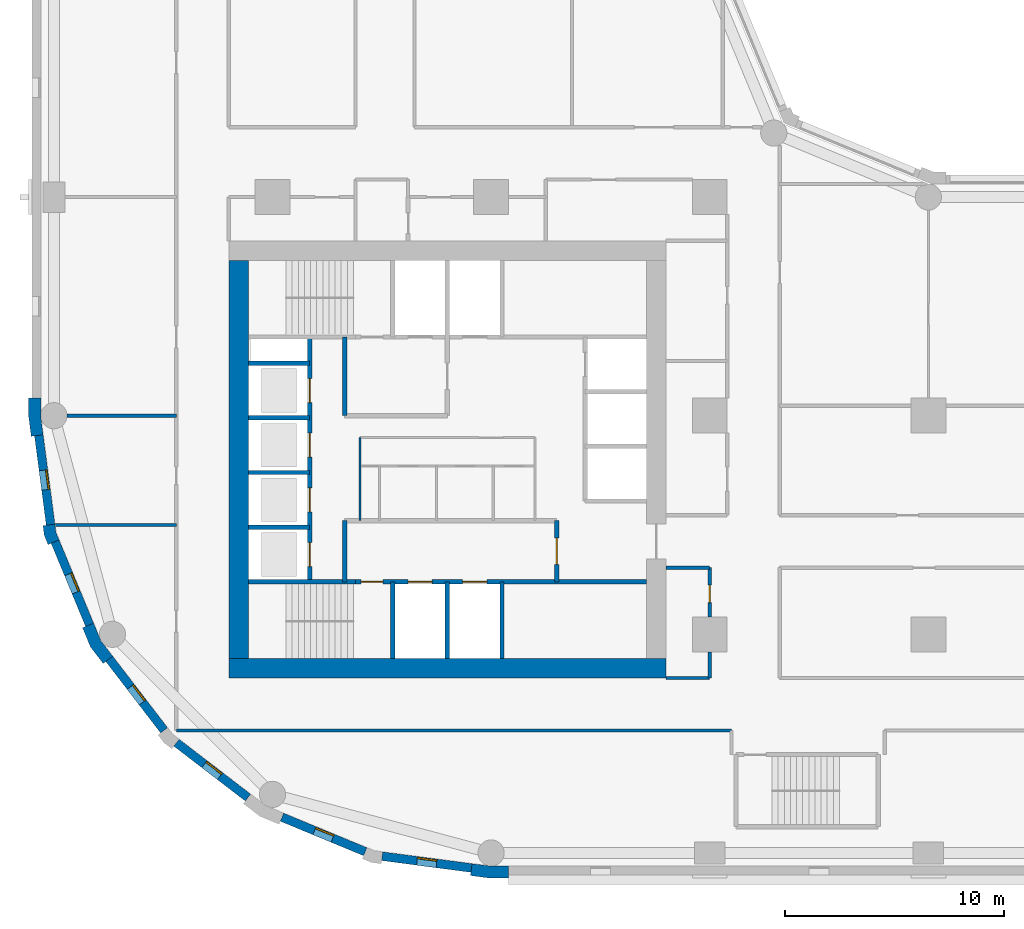
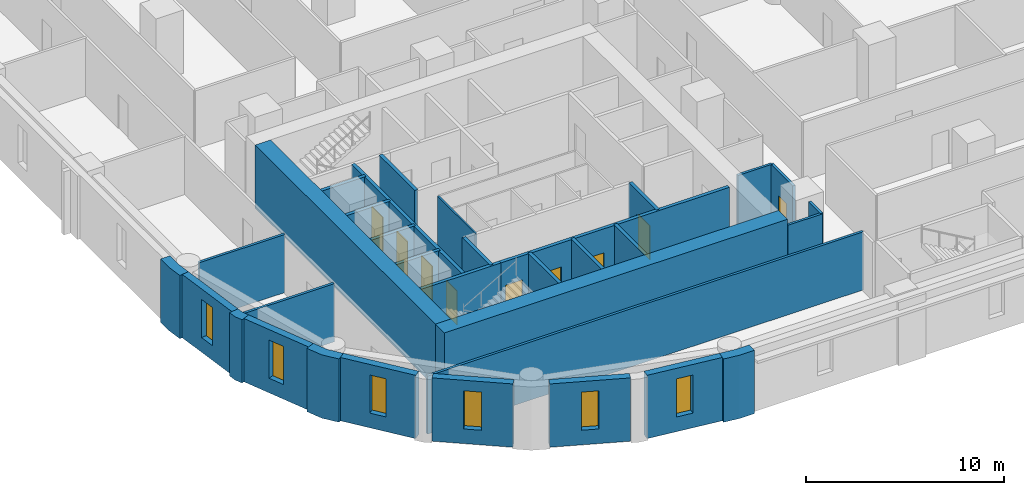
# One storey, part 2 of 10: 33 walls, 9 doors, 6 windows, 15 openings.
"""IFC4 building model written with IfcOpenShell, lengths in metres."""

from ifc_helpers import new_model, si_unit, direction, frame, frame_2d, origin, place, context, subcontext, project, spatial, polyline, rectangle, outline, extrude, material, layer, layer_set, type_object, element, fill, save


model = new_model("IFC4")

# Units and contexts
model_context = context("Model", 3, precision=1e-05, world=origin(), true_north=direction((0.0, 1.0)))
body_context = subcontext(model_context, "Body", "Model", "MODEL_VIEW")
ifc_project = project(units=[si_unit("LENGTHUNIT", "METRE"), si_unit("AREAUNIT", "SQUARE_METRE"), si_unit("VOLUMEUNIT", "CUBIC_METRE"), si_unit("PLANEANGLEUNIT", "RADIAN"), si_unit("MASSUNIT", "GRAM", prefix="KILO")], contexts=[model_context])

# Site, building, storey
site_placement = place(None, origin())
site = spatial("IfcSite", under=ifc_project, at=site_placement, CompositionType="ELEMENT")
building_placement = place(site_placement, origin())
building = spatial("IfcBuilding", under=site, at=building_placement, Name="Qaws Garden Tower", CompositionType="ELEMENT")
storey_placement = place(building_placement, frame((0.0, 0.0, 78.300048828125)))
storey = spatial("IfcBuildingStorey", under=building, at=storey_placement, Name="L19", CompositionType="ELEMENT", Elevation=78.300048828125)

# Wall, opening, window
ifc_material_1 = material(Name="Clay facing brick masonry", Category="masonry")
ifc_layer_1 = layer(ifc_material_1, 0.39990234375)
ifc_layer_set_1 = layer_set([ifc_layer_1], Name="Clay facing brick masonry")
wall_type_1 = type_object("IfcWallType", Name="Brick infill wall 400", PredefinedType="SOLIDWALL", material=ifc_layer_set_1)
wall_1_placement = place(storey_placement, frame((-0.688720703125, 19.102294921875, 0.0), z_axis=(0.0, 0.0, 1.0), x_axis=(0.130514280502, -0.991446429508, 0.0)))
wall_1 = element("IfcWall", 1, at=wall_1_placement, inside=storey, type_object=wall_type_1, Name="E-L19-infill-27", PredefinedType="SOLIDWALL", context=body_context, shape_type="SweptSolid", body=[
    extrude(rectangle(XDim=4.120849609375, YDim=0.39990234375, at=frame_2d((2.060546875, 0.0))), origin(), (0.0, 0.0, 1.0), 3.89990234375),
])
opening_1_placement = place(wall_1_placement, frame((1.610595703125, 0.0, 0.89990234375)))
opening_1 = element("IfcOpeningElement", 2, at=opening_1_placement, cuts=wall_1, Name="Opening W09", PredefinedType="OPENING", context=body_context, shape_type="SweptSolid", body=[
    extrude(rectangle(XDim=0.89990234375, YDim=2.35009765625, at=frame_2d((0.449951171875, 1.175048828125))), frame((0.0, 0.2099609375, 0.0), z_axis=(0.0, -1.0, 0.0), x_axis=(1.0, 0.0, 0.0)), (0.0, 0.0, 1.0), 0.419921875),
])
ifc_material_2 = material(Name="Aluminium framed window, clear glazing", Category="aluminium")
window_type = type_object("IfcWindowType", Name="Slit window 900 x 2350", PartitioningType="SINGLE_PANEL", PredefinedType="WINDOW", material=ifc_material_2)
window_1_placement = place(opening_1_placement, origin())
window_1 = element("IfcWindow", 3, at=window_1_placement, inside=storey, type_object=window_type, Name="E-L19-window-27-0", OverallHeight=2.35009765625, OverallWidth=0.89990234375, PartitioningType="SINGLE_PANEL", PredefinedType="WINDOW", context=body_context, shape_type="SweptSolid", body=[
    extrude(rectangle(XDim=0.89990234375, YDim=2.35009765625, at=frame_2d((0.449951171875, 1.175048828125))), frame((0.0, 0.159912109375, 0.0), z_axis=(0.0, -1.0, 0.0), x_axis=(1.0, 0.0, 0.0)), (0.0, 0.0, 1.0), 0.06005859375),
])
fill(opening_1, window_1)

wall_2_placement = place(storey_placement, frame((0.05712890625, 14.240234375, 0.0), z_axis=(0.0, 0.0, 1.0), x_axis=(0.382721546029, -0.923863744394, 0.0)))
wall_2 = element("IfcWall", 4, at=wall_2_placement, inside=storey, type_object=wall_type_1, Name="E-L19-infill-28", PredefinedType="SOLIDWALL", context=body_context, shape_type="SweptSolid", body=[
    extrude(rectangle(XDim=4.120849609375, YDim=0.39990234375, at=frame_2d((2.060546875, 0.0))), origin(), (0.0, 0.0, 1.0), 3.89990234375),
])
opening_2_placement = place(wall_2_placement, frame((1.610595703125, 0.0, 0.89990234375)))
opening_2 = element("IfcOpeningElement", 5, at=opening_2_placement, cuts=wall_2, Name="Opening W09", PredefinedType="OPENING", context=body_context, shape_type="SweptSolid", body=[
    extrude(rectangle(XDim=0.89990234375, YDim=2.35009765625, at=frame_2d((0.449951171875, 1.175048828125))), frame((0.0, 0.2099609375, 0.0), z_axis=(0.0, -1.0, 0.0), x_axis=(1.0, 0.0, 0.0)), (0.0, 0.0, 1.0), 0.419921875),
])
window_2_placement = place(opening_2_placement, origin())
window_2 = element("IfcWindow", 6, at=window_2_placement, inside=storey, type_object=window_type, Name="E-L19-window-28-0", OverallHeight=2.35009765625, OverallWidth=0.89990234375, PartitioningType="SINGLE_PANEL", PredefinedType="WINDOW", context=body_context, shape_type="SweptSolid", body=[
    extrude(rectangle(XDim=0.89990234375, YDim=2.35009765625, at=frame_2d((0.449951171875, 1.175048828125))), frame((0.0, 0.159912109375, 0.0), z_axis=(0.0, -1.0, 0.0), x_axis=(1.0, 0.0, 0.0)), (0.0, 0.0, 1.0), 0.06005859375),
])
fill(opening_2, window_2)

wall_3_placement = place(storey_placement, frame((2.53173828125, 8.87841796875, 0.0), z_axis=(0.0, 0.0, 1.0), x_axis=(0.608759824817, -0.793354571229, 0.0)))
wall_3 = element("IfcWall", 7, at=wall_3_placement, inside=storey, type_object=wall_type_1, Name="E-L19-infill-29", PredefinedType="SOLIDWALL", context=body_context, shape_type="SweptSolid", body=[
    extrude(rectangle(XDim=4.12109375, YDim=0.39990234375, at=frame_2d((2.060546875, 0.0))), origin(), (0.0, 0.0, 1.0), 3.89990234375),
])
opening_3_placement = place(wall_3_placement, frame((1.610595703125, 0.0, 0.89990234375)))
opening_3 = element("IfcOpeningElement", 8, at=opening_3_placement, cuts=wall_3, Name="Opening W09", PredefinedType="OPENING", context=body_context, shape_type="SweptSolid", body=[
    extrude(rectangle(XDim=0.89990234375, YDim=2.35009765625, at=frame_2d((0.449951171875, 1.175048828125))), frame((0.0, 0.2099609375, 0.0), z_axis=(0.0, -1.0, 0.0), x_axis=(1.0, 0.0, 0.0)), (0.0, 0.0, 1.0), 0.419921875),
])
window_3_placement = place(opening_3_placement, origin())
window_3 = element("IfcWindow", 9, at=window_3_placement, inside=storey, type_object=window_type, Name="E-L19-window-29-0", OverallHeight=2.35009765625, OverallWidth=0.89990234375, PartitioningType="SINGLE_PANEL", PredefinedType="WINDOW", context=body_context, shape_type="SweptSolid", body=[
    extrude(rectangle(XDim=0.89990234375, YDim=2.35009765625, at=frame_2d((0.449951171875, 1.175048828125))), frame((0.0, 0.159912109375, 0.0), z_axis=(0.0, -1.0, 0.0), x_axis=(1.0, 0.0, 0.0)), (0.0, 0.0, 1.0), 0.06005859375),
])
fill(opening_3, window_3)

wall_4_placement = place(storey_placement, frame((5.60888671875, 5.04052734375, 0.0), z_axis=(0.0, 0.0, 1.0), x_axis=(0.793354571229, -0.608759824817, 0.0)))
wall_4 = element("IfcWall", 10, at=wall_4_placement, inside=storey, type_object=wall_type_1, Name="E-L19-infill-30", PredefinedType="SOLIDWALL", context=body_context, shape_type="SweptSolid", body=[
    extrude(rectangle(XDim=4.12109375, YDim=0.39990234375, at=frame_2d((2.060546875, 0.0))), origin(), (0.0, 0.0, 1.0), 3.89990234375),
])
opening_4_placement = place(wall_4_placement, frame((1.610595703125, 0.0, 0.89990234375)))
opening_4 = element("IfcOpeningElement", 11, at=opening_4_placement, cuts=wall_4, Name="Opening W09", PredefinedType="OPENING", context=body_context, shape_type="SweptSolid", body=[
    extrude(rectangle(XDim=0.89990234375, YDim=2.35009765625, at=frame_2d((0.449951171875, 1.175048828125))), frame((0.0, 0.2099609375, 0.0), z_axis=(0.0, -1.0, 0.0), x_axis=(1.0, 0.0, 0.0)), (0.0, 0.0, 1.0), 0.419921875),
])
window_4_placement = place(opening_4_placement, origin())
window_4 = element("IfcWindow", 12, at=window_4_placement, inside=storey, type_object=window_type, Name="E-L19-window-30-0", OverallHeight=2.35009765625, OverallWidth=0.89990234375, PartitioningType="SINGLE_PANEL", PredefinedType="WINDOW", context=body_context, shape_type="SweptSolid", body=[
    extrude(rectangle(XDim=0.89990234375, YDim=2.35009765625, at=frame_2d((0.449951171875, 1.175048828125))), frame((0.0, 0.159912109375, 0.0), z_axis=(0.0, -1.0, 0.0), x_axis=(1.0, 0.0, 0.0)), (0.0, 0.0, 1.0), 0.06005859375),
])
fill(opening_4, window_4)

wall_5_placement = place(storey_placement, frame((10.43310546875, 1.63427734375, 0.0), z_axis=(0.0, 0.0, 1.0), x_axis=(0.923863744394, -0.382721546029, 0.0)))
wall_5 = element("IfcWall", 13, at=wall_5_placement, inside=storey, type_object=wall_type_1, Name="E-L19-infill-31", PredefinedType="SOLIDWALL", context=body_context, shape_type="SweptSolid", body=[
    extrude(rectangle(XDim=4.120849609375, YDim=0.39990234375, at=frame_2d((2.060546875, 0.0))), origin(), (0.0, 0.0, 1.0), 3.89990234375),
])
opening_5_placement = place(wall_5_placement, frame((1.610595703125, 0.0, 0.89990234375)))
opening_5 = element("IfcOpeningElement", 14, at=opening_5_placement, cuts=wall_5, Name="Opening W09", PredefinedType="OPENING", context=body_context, shape_type="SweptSolid", body=[
    extrude(rectangle(XDim=0.89990234375, YDim=2.35009765625, at=frame_2d((0.449951171875, 1.175048828125))), frame((0.0, 0.2099609375, 0.0), z_axis=(0.0, -1.0, 0.0), x_axis=(1.0, 0.0, 0.0)), (0.0, 0.0, 1.0), 0.419921875),
])
window_5_placement = place(opening_5_placement, origin())
window_5 = element("IfcWindow", 15, at=window_5_placement, inside=storey, type_object=window_type, Name="E-L19-window-31-0", OverallHeight=2.35009765625, OverallWidth=0.89990234375, PartitioningType="SINGLE_PANEL", PredefinedType="WINDOW", context=body_context, shape_type="SweptSolid", body=[
    extrude(rectangle(XDim=0.89990234375, YDim=2.35009765625, at=frame_2d((0.449951171875, 1.175048828125))), frame((0.0, 0.159912109375, 0.0), z_axis=(0.0, -1.0, 0.0), x_axis=(1.0, 0.0, 0.0)), (0.0, 0.0, 1.0), 0.06005859375),
])
fill(opening_5, window_5)

wall_6_placement = place(storey_placement, frame((15.0166015625, -0.15087890625, 0.0), z_axis=(0.0, 0.0, 1.0), x_axis=(0.991446429508, -0.130514280502, 0.0)))
wall_6 = element("IfcWall", 16, at=wall_6_placement, inside=storey, type_object=wall_type_1, Name="E-L19-infill-32", PredefinedType="SOLIDWALL", context=body_context, shape_type="SweptSolid", body=[
    extrude(rectangle(XDim=4.120849609375, YDim=0.39990234375, at=frame_2d((2.060546875, 0.0))), origin(), (0.0, 0.0, 1.0), 3.89990234375),
])
opening_6_placement = place(wall_6_placement, frame((1.610595703125, 0.0, 0.89990234375)))
opening_6 = element("IfcOpeningElement", 17, at=opening_6_placement, cuts=wall_6, Name="Opening W09", PredefinedType="OPENING", context=body_context, shape_type="SweptSolid", body=[
    extrude(rectangle(XDim=0.89990234375, YDim=2.35009765625, at=frame_2d((0.449951171875, 1.175048828125))), frame((0.0, 0.2099609375, 0.0), z_axis=(0.0, -1.0, 0.0), x_axis=(1.0, 0.0, 0.0)), (0.0, 0.0, 1.0), 0.419921875),
])
window_6_placement = place(opening_6_placement, origin())
window_6 = element("IfcWindow", 18, at=window_6_placement, inside=storey, type_object=window_type, Name="E-L19-window-32-0", OverallHeight=2.35009765625, OverallWidth=0.89990234375, PartitioningType="SINGLE_PANEL", PredefinedType="WINDOW", context=body_context, shape_type="SweptSolid", body=[
    extrude(rectangle(XDim=0.89990234375, YDim=2.35009765625, at=frame_2d((0.449951171875, 1.175048828125))), frame((0.0, 0.159912109375, 0.0), z_axis=(0.0, -1.0, 0.0), x_axis=(1.0, 0.0, 0.0)), (0.0, 0.0, 1.0), 0.06005859375),
])
fill(opening_6, window_6)

# Walls
ifc_material_3 = material(Name="Clay facing brick masonry", Category="masonry")
ifc_layer_2 = layer(ifc_material_3, 0.550048828125)
ifc_layer_set_2 = layer_set([ifc_layer_2], Name="Clay facing brick masonry")
wall_type_2 = type_object("IfcWallType", Name="Brick kink pier 550 x 600", PredefinedType="SOLIDWALL", material=ifc_layer_set_2)
placement = place(storey_placement, origin())
element("IfcWall", 19, at=placement, inside=storey, type_object=wall_type_2, Name="E-L19-pier-28", PredefinedType="SOLIDWALL", context=body_context, shape_type="SweptSolid", body=[
    extrude(outline(polyline([(-0.34912109375, 14.990478515625), (-0.497802734375, 14.970947265625), (-0.43896484375, 14.5234375), (-0.26611328125, 14.1064453125), (-0.127685546875, 14.163818359375), (0.241943359375, 14.31689453125), (0.096923828125, 14.6669921875), (0.04736328125, 15.042724609375), (-0.34912109375, 14.990478515625)])), origin(), (0.0, 0.0, 1.0), 3.89990234375),
])
ifc_material_4 = material(Name="Clay facing brick masonry", Category="masonry")
ifc_layer_3 = layer(ifc_material_4, 0.550048828125)
ifc_layer_set_3 = layer_set([ifc_layer_3], Name="Clay facing brick masonry")
wall_type_3 = type_object("IfcWallType", Name="Brick pier 550 x 1600", PredefinedType="SOLIDWALL", material=ifc_layer_set_3)
element("IfcWall", 20, at=placement, inside=storey, type_object=wall_type_3, Name="E-L19-pier-00", PredefinedType="SOLIDWALL", context=body_context, shape_type="SweptSolid", body=[
    extrude(outline(polyline([(19.076416015625, -0.886962890625), (19.056640625, -1.03564453125), (19.924560546875, -1.14990234375), (20.800048828125, -1.14990234375), (20.800048828125, -1.0), (20.800048828125, -0.60009765625), (19.960693359375, -0.60009765625), (19.12841796875, -0.490478515625), (19.076416015625, -0.886962890625)])), origin(), (0.0, 0.0, 1.0), 3.89990234375),
])
element("IfcWall", 21, at=placement, inside=storey, type_object=wall_type_3, Name="E-L19-pier-27", PredefinedType="SOLIDWALL", context=body_context, shape_type="SweptSolid", body=[
    extrude(outline(polyline([(-1.0, 20.800048828125), (-1.14990234375, 20.800048828125), (-1.14990234375, 19.924560546875), (-1.03564453125, 19.056640625), (-0.886962890625, 19.076416015625), (-0.490478515625, 19.12841796875), (-0.60009765625, 19.960693359375), (-0.60009765625, 20.800048828125), (-1.0, 20.800048828125)])), origin(), (0.0, 0.0, 1.0), 3.89990234375),
])
element("IfcWall", 22, at=placement, inside=storey, type_object=wall_type_3, Name="E-L19-pier-29", PredefinedType="SOLIDWALL", context=body_context, shape_type="SweptSolid", body=[
    extrude(outline(polyline([(1.449462890625, 10.3564453125), (1.310791015625, 10.299072265625), (1.675048828125, 9.419921875), (2.254150390625, 8.665283203125), (2.373046875, 8.756591796875), (2.6904296875, 9.0), (2.1552734375, 9.697509765625), (1.819091796875, 10.509521484375), (1.449462890625, 10.3564453125)])), origin(), (0.0, 0.0, 1.0), 3.89990234375),
])
ifc_material_5 = material(Name="Plasterboard")
ifc_layer_4 = layer(ifc_material_5, 0.10009765625)
ifc_layer_set_4 = layer_set([ifc_layer_4], Name="Plasterboard")
wall_type_4 = type_object("IfcWallType", Name="Core partition 100", PredefinedType="PARTITIONING", material=ifc_layer_set_4)
wall_11_placement = place(storey_placement, frame((14.0, 15.199951171875, 0.0), z_axis=(0.0, 0.0, 1.0), x_axis=(0.0, 1.0, 0.0)))
element("IfcWall", 23, at=wall_11_placement, inside=storey, type_object=wall_type_4, Name="Core partition", PredefinedType="PARTITIONING", context=body_context, shape_type="SweptSolid", body=[
    extrude(rectangle(XDim=3.800048828125, YDim=0.10009765625, at=frame_2d((1.89990234375, 0.0))), origin(), (0.0, 0.0, 1.0), 3.579833984375),
])
ifc_material_6 = material(Name="Concrete C80", Category="concrete")
ifc_layer_5 = layer(ifc_material_6, 0.199951171875)
ifc_layer_set_5 = layer_set([ifc_layer_5], Name="Concrete C80")
wall_type_5 = type_object("IfcWallType", Name="Core shaft wall 200 C80", PredefinedType="SHEAR", material=ifc_layer_set_5)
wall_12_placement = place(storey_placement, frame((8.89990234375, 12.39990234375, 0.0), z_axis=(0.0, 0.0, 1.0), x_axis=(1.0, 0.0, 0.0)))
element("IfcWall", 24, at=wall_12_placement, inside=storey, type_object=wall_type_5, Name="Shaft wall", PredefinedType="SHEAR", context=body_context, shape_type="SweptSolid", body=[
    extrude(rectangle(XDim=4.900146484375, YDim=0.199951171875, at=frame_2d((2.4501953125, 0.0))), origin(), (0.0, 0.0, 1.0), 3.579833984375),
])

# Wall, openings, doors
wall_13_placement = place(storey_placement, frame((13.800048828125, 12.39990234375, 0.0), z_axis=(0.0, 0.0, 1.0), x_axis=(1.0, 0.0, 0.0)))
wall_13 = element("IfcWall", 25, at=wall_13_placement, inside=storey, type_object=wall_type_5, Name="Shaft wall", PredefinedType="SHEAR", context=body_context, shape_type="SweptSolid", body=[
    extrude(rectangle(XDim=13.300048828125, YDim=0.199951171875, at=frame_2d((6.64990234375, 0.0))), origin(), (0.0, 0.0, 1.0), 3.579833984375),
])
opening_7_placement = place(wall_13_placement, frame((2.39990234375, 0.0, 0.0)))
opening_7 = element("IfcOpeningElement", 26, at=opening_7_placement, cuts=wall_13, Name="Opening LD06", PredefinedType="OPENING", context=body_context, shape_type="SweptSolid", body=[
    extrude(rectangle(XDim=1.10009765625, YDim=2.10009765625, at=frame_2d((0.550048828125, 1.050048828125))), frame((0.0, 0.10986328125, 0.0), z_axis=(0.0, -1.0, 0.0), x_axis=(1.0, 0.0, 0.0)), (0.0, 0.0, 1.0), 0.219970703125),
])
opening_8_placement = place(wall_13_placement, frame((4.89990234375, 0.0, 0.0)))
opening_8 = element("IfcOpeningElement", 27, at=opening_8_placement, cuts=wall_13, Name="Opening LD07", PredefinedType="OPENING", context=body_context, shape_type="SweptSolid", body=[
    extrude(rectangle(XDim=1.10009765625, YDim=2.10009765625, at=frame_2d((0.550048828125, 1.050048828125))), frame((0.0, 0.10986328125, 0.0), z_axis=(0.0, -1.0, 0.0), x_axis=(1.0, 0.0, 0.0)), (0.0, 0.0, 1.0), 0.219970703125),
])
opening_9_placement = place(wall_13_placement, frame((0.25, 0.0, 0.0)))
opening_9 = element("IfcOpeningElement", 28, at=opening_9_placement, cuts=wall_13, Name="Opening SD10", PredefinedType="OPENING", context=body_context, shape_type="SweptSolid", body=[
    extrude(rectangle(XDim=1.0, YDim=2.10009765625, at=frame_2d((0.5, 1.050048828125))), frame((0.0, 0.10986328125, 0.0), z_axis=(0.0, -1.0, 0.0), x_axis=(1.0, 0.0, 0.0)), (0.0, 0.0, 1.0), 0.219970703125),
])
ifc_material_7 = material(Name="Steel S235", Category="steel")
door_type_1 = type_object("IfcDoorType", Name="Landing door 1100x2100", OperationType="DOUBLE_DOOR_SLIDING", PredefinedType="DOOR", material=ifc_material_7)
door_1_placement = place(opening_7_placement, origin())
door_1 = element("IfcDoor", 29, at=door_1_placement, inside=storey, type_object=door_type_1, Name="Lift FF1 landing door", OperationType="DOUBLE_DOOR_SLIDING", OverallHeight=2.10009765625, OverallWidth=1.10009765625, PredefinedType="DOOR", context=body_context, shape_type="SweptSolid", body=[
    extrude(rectangle(XDim=1.10009765625, YDim=2.10009765625, at=frame_2d((0.550048828125, 1.050048828125))), frame((0.0, 0.02490234375, 0.0), z_axis=(0.0, -1.0, 0.0), x_axis=(1.0, 0.0, 0.0)), (0.0, 0.0, 1.0), 0.050048828125),
])
fill(opening_7, door_1)
door_2_placement = place(opening_8_placement, origin())
door_2 = element("IfcDoor", 30, at=door_2_placement, inside=storey, type_object=door_type_1, Name="Lift FF2 landing door", OperationType="DOUBLE_DOOR_SLIDING", OverallHeight=2.10009765625, OverallWidth=1.10009765625, PredefinedType="DOOR", context=body_context, shape_type="SweptSolid", body=[
    extrude(rectangle(XDim=1.10009765625, YDim=2.10009765625, at=frame_2d((0.550048828125, 1.050048828125))), frame((0.0, 0.02490234375, 0.0), z_axis=(0.0, -1.0, 0.0), x_axis=(1.0, 0.0, 0.0)), (0.0, 0.0, 1.0), 0.050048828125),
])
fill(opening_8, door_2)
ifc_material_8 = material(Name="Steel S235", Category="steel")
door_type_2 = type_object("IfcDoorType", Name="Stair door 1000x2100", OperationType="SINGLE_SWING_RIGHT", PredefinedType="DOOR", material=ifc_material_8)
door_3_placement = place(opening_9_placement, frame((1.0, 0.0, 0.0), z_axis=(0.0, 0.0, 1.0), x_axis=(-1.0, 0.0, 0.0)))
door_3 = element("IfcDoor", 31, at=door_3_placement, inside=storey, type_object=door_type_2, Name="Stair 1 door", OperationType="SINGLE_SWING_LEFT", OverallHeight=2.10009765625, OverallWidth=1.0, PredefinedType="DOOR", context=body_context, shape_type="SweptSolid", body=[
    extrude(rectangle(XDim=1.0, YDim=2.10009765625, at=frame_2d((0.5, 1.050048828125))), frame((0.0, 0.02490234375, 0.0), z_axis=(0.0, -1.0, 0.0), x_axis=(1.0, 0.0, 0.0)), (0.0, 0.0, 1.0), 0.050048828125),
])
fill(opening_9, door_3)

# Walls
for number, where, z_axis, x_axis, name in (
    (32, (8.89990234375, 14.89990234375, 0.0), (0.0, 0.0, 1.0), (1.0, 0.0, 0.0), "Shaft wall"),
    (33, (8.89990234375, 17.39990234375, 0.0), (0.0, 0.0, 1.0), (1.0, 0.0, 0.0), "Shaft wall"),
    (34, (8.89990234375, 19.89990234375, 0.0), (0.0, 0.0, 1.0), (1.0, 0.0, 0.0), "Shaft wall"),
    (35, (8.89990234375, 22.39990234375, 0.0), (0.0, 0.0, 1.0), (1.0, 0.0, 0.0), "Shaft wall"),
):
    element("IfcWall", number, at=place(storey_placement, frame(where, z_axis=z_axis, x_axis=x_axis)), inside=storey, type_object=wall_type_5, Name=name, PredefinedType="SHEAR", context=body_context, shape_type="SweptSolid", body=[
        extrude(rectangle(XDim=2.800048828125, YDim=0.199951171875, at=frame_2d((1.39990234375, 0.0))), origin(), (0.0, 0.0, 1.0), 3.579833984375),
    ])

# Wall, openings, doors
wall_14_placement = place(storey_placement, frame((11.699951171875, 12.39990234375, 0.0), z_axis=(0.0, 0.0, 1.0), x_axis=(0.0, 1.0, 0.0)))
wall_14 = element("IfcWall", 36, at=wall_14_placement, inside=storey, type_object=wall_type_5, Name="Shaft wall", PredefinedType="SHEAR", context=body_context, shape_type="SweptSolid", body=[
    extrude(rectangle(XDim=11.2001953125, YDim=0.199951171875, at=frame_2d((5.60009765625, 0.0))), origin(), (0.0, 0.0, 1.0), 3.579833984375),
])
opening_10_placement = place(wall_14_placement, frame((0.699951171875, 0.0, 0.0)))
opening_10 = element("IfcOpeningElement", 37, at=opening_10_placement, cuts=wall_14, Name="Opening LD01", PredefinedType="OPENING", context=body_context, shape_type="SweptSolid", body=[
    extrude(rectangle(XDim=1.10009765625, YDim=2.10009765625, at=frame_2d((0.550048828125, 1.050048828125))), frame((0.0, 0.10986328125, 0.0), z_axis=(0.0, -1.0, 0.0), x_axis=(1.0, 0.0, 0.0)), (0.0, 0.0, 1.0), 0.219970703125),
])
opening_11_placement = place(wall_14_placement, frame((3.199951171875, 0.0, 0.0)))
opening_11 = element("IfcOpeningElement", 38, at=opening_11_placement, cuts=wall_14, Name="Opening LD02", PredefinedType="OPENING", context=body_context, shape_type="SweptSolid", body=[
    extrude(rectangle(XDim=1.10009765625, YDim=2.10009765625, at=frame_2d((0.550048828125, 1.050048828125))), frame((0.0, 0.10986328125, 0.0), z_axis=(0.0, -1.0, 0.0), x_axis=(1.0, 0.0, 0.0)), (0.0, 0.0, 1.0), 0.219970703125),
])
opening_12_placement = place(wall_14_placement, frame((5.699951171875, 0.0, 0.0)))
opening_12 = element("IfcOpeningElement", 39, at=opening_12_placement, cuts=wall_14, Name="Opening LD03", PredefinedType="OPENING", context=body_context, shape_type="SweptSolid", body=[
    extrude(rectangle(XDim=1.10009765625, YDim=2.10009765625, at=frame_2d((0.550048828125, 1.050048828125))), frame((0.0, 0.10986328125, 0.0), z_axis=(0.0, -1.0, 0.0), x_axis=(1.0, 0.0, 0.0)), (0.0, 0.0, 1.0), 0.219970703125),
])
opening_13_placement = place(wall_14_placement, frame((8.199951171875, 0.0, 0.0)))
opening_13 = element("IfcOpeningElement", 40, at=opening_13_placement, cuts=wall_14, Name="Opening LD04", PredefinedType="OPENING", context=body_context, shape_type="SweptSolid", body=[
    extrude(rectangle(XDim=1.10009765625, YDim=2.10009765625, at=frame_2d((0.550048828125, 1.050048828125))), frame((0.0, 0.10986328125, 0.0), z_axis=(0.0, -1.0, 0.0), x_axis=(1.0, 0.0, 0.0)), (0.0, 0.0, 1.0), 0.219970703125),
])
door_4_placement = place(opening_10_placement, origin())
door_4 = element("IfcDoor", 41, at=door_4_placement, inside=storey, type_object=door_type_1, Name="Lift W1 landing door", OperationType="DOUBLE_DOOR_SLIDING", OverallHeight=2.10009765625, OverallWidth=1.10009765625, PredefinedType="DOOR", context=body_context, shape_type="SweptSolid", body=[
    extrude(rectangle(XDim=1.10009765625, YDim=2.10009765625, at=frame_2d((0.550048828125, 1.050048828125))), frame((0.0, 0.02490234375, 0.0), z_axis=(0.0, -1.0, 0.0), x_axis=(1.0, 0.0, 0.0)), (0.0, 0.0, 1.0), 0.050048828125),
])
fill(opening_10, door_4)
door_5_placement = place(opening_11_placement, origin())
door_5 = element("IfcDoor", 42, at=door_5_placement, inside=storey, type_object=door_type_1, Name="Lift W2 landing door", OperationType="DOUBLE_DOOR_SLIDING", OverallHeight=2.10009765625, OverallWidth=1.10009765625, PredefinedType="DOOR", context=body_context, shape_type="SweptSolid", body=[
    extrude(rectangle(XDim=1.10009765625, YDim=2.10009765625, at=frame_2d((0.550048828125, 1.050048828125))), frame((0.0, 0.02490234375, 0.0), z_axis=(0.0, -1.0, 0.0), x_axis=(1.0, 0.0, 0.0)), (0.0, 0.0, 1.0), 0.050048828125),
])
fill(opening_11, door_5)
door_6_placement = place(opening_12_placement, origin())
door_6 = element("IfcDoor", 43, at=door_6_placement, inside=storey, type_object=door_type_1, Name="Lift W3 landing door", OperationType="DOUBLE_DOOR_SLIDING", OverallHeight=2.10009765625, OverallWidth=1.10009765625, PredefinedType="DOOR", context=body_context, shape_type="SweptSolid", body=[
    extrude(rectangle(XDim=1.10009765625, YDim=2.10009765625, at=frame_2d((0.550048828125, 1.050048828125))), frame((0.0, 0.02490234375, 0.0), z_axis=(0.0, -1.0, 0.0), x_axis=(1.0, 0.0, 0.0)), (0.0, 0.0, 1.0), 0.050048828125),
])
fill(opening_12, door_6)
door_7_placement = place(opening_13_placement, origin())
door_7 = element("IfcDoor", 44, at=door_7_placement, inside=storey, type_object=door_type_1, Name="Lift W4 landing door", OperationType="DOUBLE_DOOR_SLIDING", OverallHeight=2.10009765625, OverallWidth=1.10009765625, PredefinedType="DOOR", context=body_context, shape_type="SweptSolid", body=[
    extrude(rectangle(XDim=1.10009765625, YDim=2.10009765625, at=frame_2d((0.550048828125, 1.050048828125))), frame((0.0, 0.02490234375, 0.0), z_axis=(0.0, -1.0, 0.0), x_axis=(1.0, 0.0, 0.0)), (0.0, 0.0, 1.0), 0.050048828125),
])
fill(opening_13, door_7)

# Walls
wall_15_placement = place(storey_placement, frame((13.300048828125, 12.39990234375, 0.0), z_axis=(0.0, 0.0, 1.0), x_axis=(0.0, 1.0, 0.0)))
element("IfcWall", 45, at=wall_15_placement, inside=storey, type_object=wall_type_5, Name="Shaft wall", PredefinedType="SHEAR", context=body_context, shape_type="SweptSolid", body=[
    extrude(rectangle(XDim=2.800048828125, YDim=0.199951171875, at=frame_2d((1.39990234375, 0.0))), origin(), (0.0, 0.0, 1.0), 3.579833984375),
])
wall_16_placement = place(storey_placement, frame((13.300048828125, 20.0, 0.0), z_axis=(0.0, 0.0, 1.0), x_axis=(0.0, 1.0, 0.0)))
element("IfcWall", 46, at=wall_16_placement, inside=storey, type_object=wall_type_5, Name="Shaft wall", PredefinedType="SHEAR", context=body_context, shape_type="SweptSolid", body=[
    extrude(rectangle(XDim=3.60009765625, YDim=0.199951171875, at=frame_2d((1.800048828125, 0.0))), origin(), (0.0, 0.0, 1.0), 3.579833984375),
])
for number, where, z_axis, x_axis, name in (
    (47, (15.5, 8.89990234375, 0.0), (0.0, 0.0, 1.0), (0.0, 1.0, 0.0), "Shaft wall"),
    (48, (18.0, 8.89990234375, 0.0), (0.0, 0.0, 1.0), (0.0, 1.0, 0.0), "Shaft wall"),
    (49, (20.5, 8.89990234375, 0.0), (0.0, 0.0, 1.0), (0.0, 1.0, 0.0), "Shaft wall"),
):
    element("IfcWall", number, at=place(storey_placement, frame(where, z_axis=z_axis, x_axis=x_axis)), inside=storey, type_object=wall_type_5, Name=name, PredefinedType="SHEAR", context=body_context, shape_type="SweptSolid", body=[
        extrude(rectangle(XDim=3.5, YDim=0.199951171875, at=frame_2d((1.75, 0.0))), origin(), (0.0, 0.0, 1.0), 3.579833984375),
    ])

# Wall, opening, door
wall_17_placement = place(storey_placement, frame((23.0, 12.39990234375, 0.0), z_axis=(0.0, 0.0, 1.0), x_axis=(0.0, 1.0, 0.0)))
wall_17 = element("IfcWall", 50, at=wall_17_placement, inside=storey, type_object=wall_type_5, Name="Shaft wall", PredefinedType="SHEAR", context=body_context, shape_type="SweptSolid", body=[
    extrude(rectangle(XDim=2.800048828125, YDim=0.199951171875, at=frame_2d((1.39990234375, 0.0))), origin(), (0.0, 0.0, 1.0), 3.579833984375),
])
opening_14_placement = place(wall_17_placement, frame((0.800048828125, 0.0, 0.0)))
opening_14 = element("IfcOpeningElement", 51, at=opening_14_placement, cuts=wall_17, Name="Opening FD15", PredefinedType="OPENING", context=body_context, shape_type="SweptSolid", body=[
    extrude(rectangle(XDim=1.199951171875, YDim=2.10009765625, at=frame_2d((0.60009765625, 1.050048828125))), frame((0.0, 0.10986328125, 0.0), z_axis=(0.0, -1.0, 0.0), x_axis=(1.0, 0.0, 0.0)), (0.0, 0.0, 1.0), 0.219970703125),
])
ifc_material_9 = material(Name="Steel S235", Category="steel")
door_type_3 = type_object("IfcDoorType", Name="Lobby door 1200x2100", OperationType="DOUBLE_DOOR_SINGLE_SWING", PredefinedType="DOOR", material=ifc_material_9)
door_8_placement = place(opening_14_placement, origin())
door_8 = element("IfcDoor", 52, at=door_8_placement, inside=storey, type_object=door_type_3, Name="Fire-fighting lobby door", OperationType="DOUBLE_DOOR_SINGLE_SWING", OverallHeight=2.10009765625, OverallWidth=1.199951171875, PredefinedType="DOOR", context=body_context, shape_type="SweptSolid", body=[
    extrude(rectangle(XDim=1.199951171875, YDim=2.10009765625, at=frame_2d((0.60009765625, 1.050048828125))), frame((0.0, 0.02490234375, 0.0), z_axis=(0.0, -1.0, 0.0), x_axis=(1.0, 0.0, 0.0)), (0.0, 0.0, 1.0), 0.050048828125),
])
fill(opening_14, door_8)

# Walls
ifc_material_10 = material(Name="Concrete C80", Category="concrete")
ifc_layer_6 = layer(ifc_material_10, 0.89990234375)
ifc_layer_set_6 = layer_set([ifc_layer_6], Name="Concrete C80")
wall_type_6 = type_object("IfcWallType", Name="Core wall 900 C80", PredefinedType="SHEAR", material=ifc_layer_set_6)
wall_18_placement = place(storey_placement, frame((8.0, 8.449951171875, 0.0), z_axis=(0.0, 0.0, 1.0), x_axis=(1.0, 0.0, 0.0)))
element("IfcWall", 53, at=wall_18_placement, inside=storey, type_object=wall_type_6, Name="Core wall L19 south", PredefinedType="SHEAR", context=body_context, shape_type="SweptSolid", body=[
    extrude(rectangle(XDim=20.0, YDim=0.89990234375, at=frame_2d((10.0, 0.0))), origin(), (0.0, 0.0, 1.0), 3.89990234375),
])
wall_19_placement = place(storey_placement, frame((8.449951171875, 27.10009765625, 0.0), z_axis=(0.0, 0.0, 1.0), x_axis=(0.0, -1.0, 0.0)))
element("IfcWall", 54, at=wall_19_placement, inside=storey, type_object=wall_type_6, Name="Core wall L19 west", PredefinedType="SHEAR", context=body_context, shape_type="SweptSolid", body=[
    extrude(rectangle(XDim=18.2001953125, YDim=0.89990234375, at=frame_2d((9.10009765625, 0.0))), origin(), (0.0, 0.0, 1.0), 3.89990234375),
])
ifc_material_11 = material(Name="Gypsum board partition")
ifc_layer_7 = layer(ifc_material_11, 0.14990234375)
ifc_layer_set_7 = layer_set([ifc_layer_7], Name="Gypsum board partition")
wall_type_7 = type_object("IfcWallType", Name="PARTITION 150 EI 60", PredefinedType="PARTITIONING", material=ifc_layer_set_7)
wall_20_placement = place(storey_placement, frame((30.0, 8.0, 0.0), z_axis=(0.0, 0.0, 1.0), x_axis=(0.0, 1.0, 0.0)))
element("IfcWall", 55, at=wall_20_placement, inside=storey, type_object=wall_type_7, Name="O-L19-wall-016", PredefinedType="PARTITIONING", context=body_context, shape_type="SweptSolid", body=[
    extrude(rectangle(XDim=1.199951171875, YDim=0.14990234375, at=frame_2d((0.60009765625, 0.0))), origin(), (0.0, 0.0, 1.0), 3.579833984375),
])

# Wall, opening, door
wall_21_placement = place(storey_placement, frame((30.0, 10.800048828125, 0.0), z_axis=(0.0, 0.0, 1.0), x_axis=(0.0, 1.0, 0.0)))
wall_21 = element("IfcWall", 56, at=wall_21_placement, inside=storey, type_object=wall_type_7, Name="O-L19-wall-017", PredefinedType="PARTITIONING", context=body_context, shape_type="SweptSolid", body=[
    extrude(rectangle(XDim=2.25, YDim=0.14990234375, at=frame_2d((1.125, 0.0))), origin(), (0.0, 0.0, 1.0), 3.579833984375),
])
opening_15_placement = place(wall_21_placement, frame((0.64990234375, 0.0, 0.0)))
opening_15 = element("IfcOpeningElement", 57, at=opening_15_placement, cuts=wall_21, Name="Opening A606", PredefinedType="OPENING", context=body_context, shape_type="SweptSolid", body=[
    extrude(rectangle(XDim=0.800048828125, YDim=2.10009765625, at=frame_2d((0.39990234375, 1.050048828125))), frame((0.0, 0.0849609375, 0.0), z_axis=(0.0, -1.0, 0.0), x_axis=(1.0, 0.0, 0.0)), (0.0, 0.0, 1.0), 0.169921875),
])
ifc_material_12 = material(Name="Timber door leaf", Category="wood")
door_type_4 = type_object("IfcDoorType", Name="STORE DOOR 800 X 2100", OperationType="SINGLE_SWING_LEFT", PredefinedType="DOOR", material=ifc_material_12)
door_9_placement = place(opening_15_placement, origin())
door_9 = element("IfcDoor", 58, at=door_9_placement, inside=storey, type_object=door_type_4, Name="O-L19-door-006", OperationType="SINGLE_SWING_LEFT", OverallHeight=2.10009765625, OverallWidth=0.800048828125, PredefinedType="DOOR", context=body_context, shape_type="SweptSolid", body=[
    extrude(rectangle(XDim=0.800048828125, YDim=2.10009765625, at=frame_2d((0.39990234375, 1.050048828125))), frame((0.0, 0.02490234375, 0.0), z_axis=(0.0, -1.0, 0.0), x_axis=(1.0, 0.0, 0.0)), (0.0, 0.0, 1.0), 0.050048828125),
])
fill(opening_15, door_9)

# Walls
wall_22_placement = place(storey_placement, frame((5.60009765625, 5.60009765625, 0.0), z_axis=(0.0, 0.0, 1.0), x_axis=(1.0, 0.0, 0.0)))
element("IfcWall", 59, at=wall_22_placement, inside=storey, type_object=wall_type_7, Name="O-L19-wall-033", PredefinedType="PARTITIONING", context=body_context, shape_type="SweptSolid", body=[
    extrude(rectangle(XDim=25.39990234375, YDim=0.14990234375, at=frame_2d((12.699951171875, 0.0))), origin(), (0.0, 0.0, 1.0), 3.579833984375),
])
for number, where, z_axis, x_axis, name in (
    (60, (28.0, 8.0, 0.0), (0.0, 0.0, 1.0), (1.0, 0.0, 0.0), "O-L19-wall-035"),
    (61, (28.0, 13.050048828125, 0.0), (0.0, 0.0, 1.0), (1.0, 0.0, 0.0), "O-L19-wall-037"),
):
    element("IfcWall", number, at=place(storey_placement, frame(where, z_axis=z_axis, x_axis=x_axis)), inside=storey, type_object=wall_type_7, Name=name, PredefinedType="PARTITIONING", context=body_context, shape_type="SweptSolid", body=[
        extrude(rectangle(XDim=2.0, YDim=0.14990234375, at=frame_2d((1.0, 0.0))), origin(), (0.0, 0.0, 1.0), 3.579833984375),
    ])
wall_23_placement = place(storey_placement, frame((0.06298828125, 15.0, 0.0), z_axis=(0.0, 0.0, 1.0), x_axis=(1.0, 0.0, 0.0)))
element("IfcWall", 62, at=wall_23_placement, inside=storey, type_object=wall_type_7, Name="O-L19-wall-039", PredefinedType="PARTITIONING", context=body_context, shape_type="SweptSolid", body=[
    extrude(rectangle(XDim=5.537109375, YDim=0.14990234375, at=frame_2d((2.7685546875, 0.0))), origin(), (0.0, 0.0, 1.0), 3.579833984375),
])
wall_24_placement = place(storey_placement, frame((0.60009765625, 20.0, 0.0), z_axis=(0.0, 0.0, 1.0), x_axis=(1.0, 0.0, 0.0)))
element("IfcWall", 63, at=wall_24_placement, inside=storey, type_object=wall_type_7, Name="O-L19-wall-042", PredefinedType="PARTITIONING", context=body_context, shape_type="SweptSolid", body=[
    extrude(rectangle(XDim=5.0, YDim=0.14990234375, at=frame_2d((2.5, 0.0))), origin(), (0.0, 0.0, 1.0), 3.579833984375),
])

save(model, "model.ifc")
